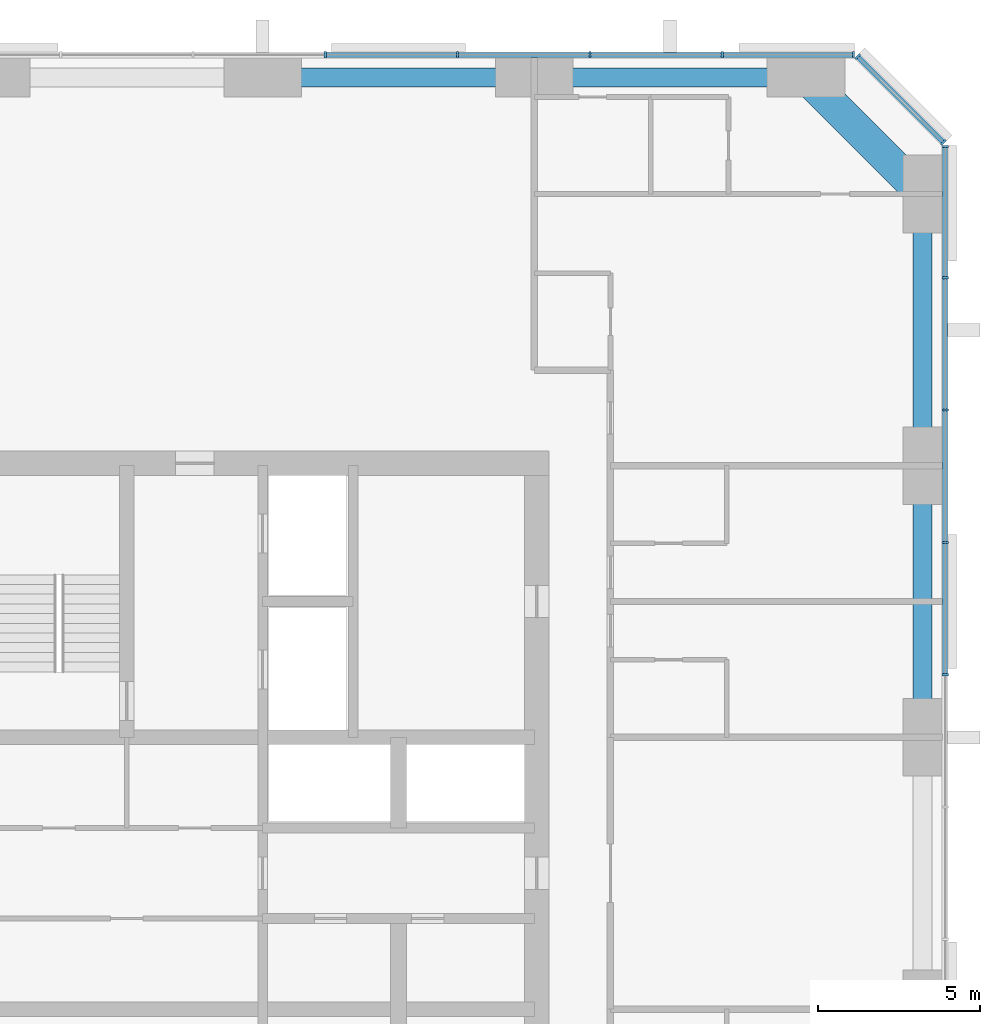
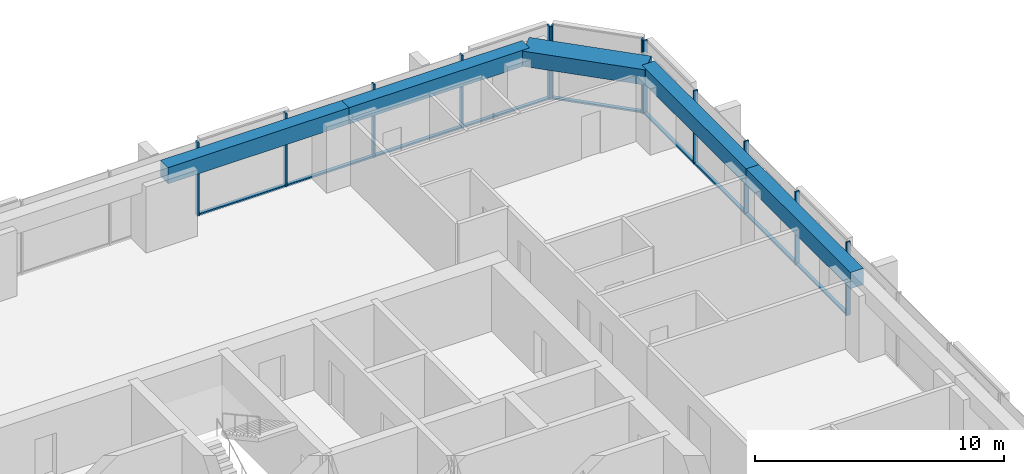
# One storey, part 6 of 13: 21 members, 5 beams, 3 elements without a shape of their own.
"""IFC4 building model written with IfcOpenShell, lengths in metres."""

import ifcopenshell
import ifcopenshell.guid

model = None  # the IFC model being written
_history = None  # IfcOwnerHistory: only IFC2X3 demands one
_inside = {}  # id of a spatial element -> (the spatial element, [elements in it])
_under = {}  # id of a project, library or spatial element -> (it, [spatial elements below it])
_declared = {}  # id of a project -> (the project, [libraries it declares])
_typed = {}  # id of a type object -> (the type object, [elements of that type])
_made_of = {}  # id of a material, layer set ... -> (it, [elements and type objects made of it])


def new_model(schema):
    """Start an empty IFC model of exactly this schema.

    Asked for "IFC4X3", IfcOpenShell would pick the latest addendum, in which some entities
    have other attributes; the version numbers below select the first issue.
    IFC2X3 requires an IfcOwnerHistory on every rooted entity: one is made here for all.
    """
    global model, _history
    if schema == "IFC4X3":
        model = ifcopenshell.file(schema_version=(4, 3, 0, 0))
    else:
        model = ifcopenshell.file(schema=schema)
    _inside.clear()
    _under.clear()
    _declared.clear()
    _typed.clear()
    _made_of.clear()
    _history = None
    if model.schema == "IFC2X3":
        org = make("IfcOrganization", Name="unknown")
        user = make(
            "IfcPersonAndOrganization",
            ThePerson=make("IfcPerson", FamilyName="unknown"),
            TheOrganization=org,
        )
        app = make(
            "IfcApplication",
            ApplicationDeveloper=org,
            Version="unknown",
            ApplicationFullName="unknown",
            ApplicationIdentifier="unknown",
        )
        _history = make(
            "IfcOwnerHistory",
            OwningUser=user,
            OwningApplication=app,
            ChangeAction="ADDED",
            CreationDate=0,
        )
    return model


def make(cls, **values):
    """One entity of the class cls with the attributes given. An attribute that is None is left unset."""
    return model.create_entity(
        cls, **{name: value for name, value in values.items() if value is not None}
    )


def rooted(cls, **values):
    """An entity with a GlobalId (a new one), such as an element, a storey or a relation."""
    return make(cls, GlobalId=ifcopenshell.guid.new(), OwnerHistory=_history, **values)


def si_unit(unit_type, name, prefix=None):
    """IfcSIUnit, for example si_unit("LENGTHUNIT", "METRE", prefix="MILLI")."""
    return make("IfcSIUnit", UnitType=unit_type, Prefix=prefix, Name=name)


def assignment(units):
    """IfcUnitAssignment: the units of a project."""
    return None if units is None else make("IfcUnitAssignment", Units=units)


def point(xyz):
    """IfcCartesianPoint."""
    return None if xyz is None else make("IfcCartesianPoint", Coordinates=xyz)


def direction(xyz):
    """IfcDirection."""
    return None if xyz is None else make("IfcDirection", DirectionRatios=xyz)


def frame(location, z_axis=None, x_axis=None):
    """IfcAxis2Placement3D, a coordinate frame: its origin and axes. An axis left out is left unset."""
    return make(
        "IfcAxis2Placement3D",
        Location=point(location),
        Axis=direction(z_axis),
        RefDirection=direction(x_axis),
    )


def frame_2d(location, x_axis=None):
    """IfcAxis2Placement2D, a coordinate frame in the plane: its origin and x axis."""
    return make(
        "IfcAxis2Placement2D", Location=point(location), RefDirection=direction(x_axis)
    )


def origin():
    """The frame at (0, 0, 0) with its axes left unset."""
    return frame((0.0, 0.0, 0.0))


def origin_2d():
    """The frame at (0, 0) in the plane with its x axis left unset."""
    return frame_2d((0.0, 0.0))


def place(relative_to, where):
    """IfcLocalPlacement: puts the frame where relative to a parent placement (None: the world)."""
    return make(
        "IfcLocalPlacement", PlacementRelTo=relative_to, RelativePlacement=where
    )


def context(
    kind, dimensions, precision=None, world=None, true_north=None, identifier=None
):
    """IfcGeometricRepresentationContext, for example the 3D "Model" context."""
    return make(
        "IfcGeometricRepresentationContext",
        ContextIdentifier=identifier,
        ContextType=kind,
        CoordinateSpaceDimension=dimensions,
        Precision=precision,
        WorldCoordinateSystem=world,
        TrueNorth=true_north,
    )


def subcontext(parent, identifier, kind, view, scale=None):
    """IfcGeometricRepresentationSubContext, for example "Body" below "Model"."""
    return make(
        "IfcGeometricRepresentationSubContext",
        ContextIdentifier=identifier,
        ContextType=kind,
        ParentContext=parent,
        TargetScale=scale,
        TargetView=view,
    )


def project(units=None, contexts=None):
    """IfcProject with its units and contexts."""
    return rooted(
        "IfcProject",
        Name="project",
        RepresentationContexts=contexts,
        UnitsInContext=assignment(units),
    )


def spatial(cls, under=None, at=None, **own):
    """A site, building, storey or space (cls), placed at a placement, below another one or the project."""
    s = rooted(cls, ObjectPlacement=at, **own)
    if under is not None:
        _under.setdefault(under.id(), (under, []))[1].append(s)
    return s


def profile(cls, at=None, kind="AREA", **sizes):
    """A parametric profile (cls). Its sizes go by their IFC names, for example OverallWidth=200.0."""
    return make(cls, ProfileType=kind, Position=at, **sizes)


def rectangle(**sizes):
    """IfcRectangleProfileDef."""
    return profile("IfcRectangleProfileDef", **sizes)


def extrude(swept, where, along, depth):
    """IfcExtrudedAreaSolid: the profile swept, set in the frame where, extruded along a direction by depth."""
    return make(
        "IfcExtrudedAreaSolid",
        SweptArea=swept,
        Position=where,
        ExtrudedDirection=direction(along),
        Depth=depth,
    )


def shape(context_of_items, identifier, shape_type, items):
    """IfcShapeRepresentation: the items that make up one representation, for example the "Body"."""
    return make(
        "IfcShapeRepresentation",
        ContextOfItems=context_of_items,
        RepresentationIdentifier=identifier,
        RepresentationType=shape_type,
        Items=items,
    )


def material(Name=None, Category=None):
    """IfcMaterial."""
    return make("IfcMaterial", Name=Name, Category=Category)


def material_profile(
    of_material, cross_section, Name=None, Category=None, Priority=None
):
    """IfcMaterialProfile: a cross section and its material."""
    return make(
        "IfcMaterialProfile",
        Name=Name,
        Material=of_material,
        Profile=cross_section,
        Priority=Priority,
        Category=Category,
    )


def profile_set(profiles, Name=None, composite=None):
    """IfcMaterialProfileSet."""
    return make(
        "IfcMaterialProfileSet",
        Name=Name,
        MaterialProfiles=profiles,
        CompositeProfile=composite,
    )


def made_of(thing, what):
    """Note that an element or type object is made of a material, layer set ...; save() writes the relation."""
    if what is not None:
        _made_of.setdefault(what.id(), (what, []))[1].append(thing)
    return thing


def type_object(cls, material=None, **own):
    """A type object (cls), such as IfcWallType, which elements share."""
    return made_of(rooted(cls, **own), material)


def element(
    cls,
    number,
    at=None,
    inside=None,
    cuts=None,
    type_object=None,
    material=None,
    context=None,
    identifier="Body",
    shape_type=None,
    held_by="IfcProductDefinitionShape",
    body=None,
    shapes=None,
    **own,
):
    """One element of the class cls, such as IfcWall. Its Tag is "e" and its number.

    at: its placement. inside: the storey or other place that contains it. cuts: it is an
    opening in that element (IfcRelVoidsElement). A single representation is given by context,
    identifier, shape_type and body (its items); several are given by shapes. held_by: the class
    of the entity that holds the representations. save() writes the other relations.
    """
    e = rooted(cls, Tag="e%d" % number, ObjectPlacement=at, **own)
    if body is not None:
        shapes = [shape(context, identifier, shape_type, body)]
    if shapes is not None:
        e.Representation = make(held_by, Representations=shapes)
    if inside is not None:
        _inside.setdefault(inside.id(), (inside, []))[1].append(e)
    if cuts is not None:
        rooted(
            "IfcRelVoidsElement", RelatingBuildingElement=cuts, RelatedOpeningElement=e
        )
    if type_object is not None:
        _typed.setdefault(type_object.id(), (type_object, []))[1].append(e)
    return made_of(e, material)


def aggregate(whole, parts):
    """IfcRelAggregates: a whole, such as a stair, and the parts it consists of."""
    return rooted("IfcRelAggregates", RelatingObject=whole, RelatedObjects=parts)


def save(model, path):
    """Write the relations noted so far, then the file.

    IfcRelAggregates (storeys below a building ...), IfcRelContainedInSpatialStructure (elements
    in a storey), IfcRelDefinesByType, IfcRelAssociatesMaterial and IfcRelDeclares: one each for
    every whole, place, type object, material and project.
    """
    for whole, parts in _under.values():
        aggregate(whole, parts)
    for where, things in _inside.values():
        rooted(
            "IfcRelContainedInSpatialStructure",
            RelatedElements=things,
            RelatingStructure=where,
        )
    for kind, things in _typed.values():
        rooted("IfcRelDefinesByType", RelatedObjects=things, RelatingType=kind)
    for what, things in _made_of.values():
        rooted("IfcRelAssociatesMaterial", RelatedObjects=things, RelatingMaterial=what)
    for by, libraries in _declared.values():
        rooted("IfcRelDeclares", RelatingContext=by, RelatedDefinitions=libraries)
    model.write(path)


model = new_model("IFC4")

# Units and contexts
model_context = context("Model", 3, precision=1e-05, world=origin(), true_north=direction((0.0, 1.0)))
body_context = subcontext(model_context, "Body", "Model", "MODEL_VIEW")
ifc_project = project(units=[si_unit("LENGTHUNIT", "METRE"), si_unit("AREAUNIT", "SQUARE_METRE"), si_unit("VOLUMEUNIT", "CUBIC_METRE"), si_unit("PLANEANGLEUNIT", "RADIAN"), si_unit("MASSUNIT", "GRAM", prefix="KILO")], contexts=[model_context])

# Site, building, storey
site_placement = place(None, origin())
site = spatial("IfcSite", under=ifc_project, at=site_placement, CompositionType="ELEMENT")
building_placement = place(site_placement, origin())
building = spatial("IfcBuilding", under=site, at=building_placement, Name="Dunama Terrace Hotel", CompositionType="ELEMENT")
storey_placement = place(building_placement, frame((0.0, 0.0, 173.39990234375)))
storey = spatial("IfcBuildingStorey", under=building, at=storey_placement, Name="L44", CompositionType="ELEMENT", Elevation=173.39990234375)

# Curtain wall, members
ifc_material_1 = material(Name="Aluminium curtain wall system", Category="aluminium")
curtain_wall_type = type_object("IfcCurtainWallType", Name="Unitised fritted glass wall CW-C", PredefinedType="NOTDEFINED", material=ifc_material_1)
curtain_wall_1_placement = place(storey_placement, origin())
curtain_wall_1 = element("IfcCurtainWall", 1, at=curtain_wall_1_placement, inside=storey, type_object=curtain_wall_type, Name="Unitised fritted glass wall CW-C L44", PredefinedType="NOTDEFINED")
ifc_material_2 = material(Name="Aluminium mullion", Category="aluminium")
ifc_material_profile_1 = material_profile(ifc_material_2, rectangle(XDim=0.070068359375, YDim=0.199951171875, at=origin_2d()), Name="CWC MULLION 70X200")
ifc_profile_set_1 = profile_set([ifc_material_profile_1], Name="Aluminium mullion")
member_type_1 = type_object("IfcMemberType", Name="CWC mullion 70x200", PredefinedType="MULLION", material=ifc_profile_set_1)
member_1_placement = place(storey_placement, frame((54.699951171875, 35.535888671875, 0.0), z_axis=(0.0, 0.0, 1.0), x_axis=(0.0, 1.0, 0.0)))
member_1 = element("IfcMember", 2, at=member_1_placement, type_object=member_type_1, Name="CWC mullion", PredefinedType="MULLION", context=body_context, shape_type="SweptSolid", body=[
    extrude(rectangle(XDim=0.070068359375, YDim=0.199951171875, at=origin_2d()), origin(), (0.0, 0.0, 1.0), 3.60009765625),
])
member_2_placement = place(storey_placement, frame((54.699951171875, 39.626953125, 0.0), z_axis=(0.0, 0.0, 1.0), x_axis=(0.0, 1.0, 0.0)))
member_2 = element("IfcMember", 3, at=member_2_placement, type_object=member_type_1, Name="CWC mullion", PredefinedType="MULLION", context=body_context, shape_type="SweptSolid", body=[
    extrude(rectangle(XDim=0.070068359375, YDim=0.199951171875, at=origin_2d()), origin(), (0.0, 0.0, 1.0), 3.60009765625),
])
member_3_placement = place(storey_placement, frame((54.699951171875, 43.718017578125, 0.0), z_axis=(0.0, 0.0, 1.0), x_axis=(0.0, 1.0, 0.0)))
member_3 = element("IfcMember", 4, at=member_3_placement, type_object=member_type_1, Name="CWC mullion", PredefinedType="MULLION", context=body_context, shape_type="SweptSolid", body=[
    extrude(rectangle(XDim=0.070068359375, YDim=0.199951171875, at=origin_2d()), origin(), (0.0, 0.0, 1.0), 3.60009765625),
])
member_4_placement = place(storey_placement, frame((54.699951171875, 47.80908203125, 0.0), z_axis=(0.0, 0.0, 1.0), x_axis=(0.0, 1.0, 0.0)))
member_4 = element("IfcMember", 5, at=member_4_placement, type_object=member_type_1, Name="CWC mullion", PredefinedType="MULLION", context=body_context, shape_type="SweptSolid", body=[
    extrude(rectangle(XDim=0.070068359375, YDim=0.199951171875, at=origin_2d()), origin(), (0.0, 0.0, 1.0), 3.60009765625),
])
member_5_placement = place(storey_placement, frame((54.699951171875, 51.864990234375, 0.0), z_axis=(0.0, 0.0, 1.0), x_axis=(0.0, 1.0, 0.0)))
member_5 = element("IfcMember", 6, at=member_5_placement, type_object=member_type_1, Name="CWC mullion", PredefinedType="MULLION", context=body_context, shape_type="SweptSolid", body=[
    extrude(rectangle(XDim=0.070068359375, YDim=0.199951171875, at=origin_2d()), origin(), (0.0, 0.0, 1.0), 3.60009765625),
])

curtain_wall_2_placement = place(storey_placement, origin())
curtain_wall_2 = element("IfcCurtainWall", 7, at=curtain_wall_2_placement, inside=storey, type_object=curtain_wall_type, Name="Unitised fritted glass wall CW-C L44", PredefinedType="NOTDEFINED")
member_6_placement = place(storey_placement, frame((54.64599609375, 51.9951171875, 0.0), z_axis=(0.0, 0.0, 1.0), x_axis=(-0.707106781187, 0.707106781187, 0.0)))
member_6 = element("IfcMember", 8, at=member_6_placement, type_object=member_type_1, Name="CWC mullion", PredefinedType="MULLION", context=body_context, shape_type="SweptSolid", body=[
    extrude(rectangle(XDim=0.070068359375, YDim=0.199951171875, at=origin_2d()), origin(), (0.0, 0.0, 1.0), 3.60009765625),
])
member_7_placement = place(storey_placement, frame((51.9951171875, 54.64599609375, 0.0), z_axis=(0.0, 0.0, 1.0), x_axis=(-0.707106781187, 0.707106781187, 0.0)))
member_7 = element("IfcMember", 9, at=member_7_placement, type_object=member_type_1, Name="CWC mullion", PredefinedType="MULLION", context=body_context, shape_type="SweptSolid", body=[
    extrude(rectangle(XDim=0.070068359375, YDim=0.199951171875, at=origin_2d()), origin(), (0.0, 0.0, 1.0), 3.60009765625),
])

curtain_wall_3_placement = place(storey_placement, origin())
curtain_wall_3 = element("IfcCurtainWall", 10, at=curtain_wall_3_placement, inside=storey, type_object=curtain_wall_type, Name="Unitised fritted glass wall CW-C L44", PredefinedType="NOTDEFINED")
member_8_placement = place(storey_placement, frame((51.864990234375, 54.699951171875, 0.0), z_axis=(0.0, 0.0, 1.0), x_axis=(-1.0, 0.0, 0.0)))
member_8 = element("IfcMember", 11, at=member_8_placement, type_object=member_type_1, Name="CWC mullion", PredefinedType="MULLION", context=body_context, shape_type="SweptSolid", body=[
    extrude(rectangle(XDim=0.070068359375, YDim=0.199951171875, at=origin_2d()), origin(), (0.0, 0.0, 1.0), 3.60009765625),
])
member_9_placement = place(storey_placement, frame((47.80908203125, 54.699951171875, 0.0), z_axis=(0.0, 0.0, 1.0), x_axis=(-1.0, 0.0, 0.0)))
member_9 = element("IfcMember", 12, at=member_9_placement, type_object=member_type_1, Name="CWC mullion", PredefinedType="MULLION", context=body_context, shape_type="SweptSolid", body=[
    extrude(rectangle(XDim=0.070068359375, YDim=0.199951171875, at=origin_2d()), origin(), (0.0, 0.0, 1.0), 3.60009765625),
])
member_10_placement = place(storey_placement, frame((43.718017578125, 54.699951171875, 0.0), z_axis=(0.0, 0.0, 1.0), x_axis=(-1.0, 0.0, 0.0)))
member_10 = element("IfcMember", 13, at=member_10_placement, type_object=member_type_1, Name="CWC mullion", PredefinedType="MULLION", context=body_context, shape_type="SweptSolid", body=[
    extrude(rectangle(XDim=0.070068359375, YDim=0.199951171875, at=origin_2d()), origin(), (0.0, 0.0, 1.0), 3.60009765625),
])
member_11_placement = place(storey_placement, frame((39.626953125, 54.699951171875, 0.0), z_axis=(0.0, 0.0, 1.0), x_axis=(-1.0, 0.0, 0.0)))
member_11 = element("IfcMember", 14, at=member_11_placement, type_object=member_type_1, Name="CWC mullion", PredefinedType="MULLION", context=body_context, shape_type="SweptSolid", body=[
    extrude(rectangle(XDim=0.070068359375, YDim=0.199951171875, at=origin_2d()), origin(), (0.0, 0.0, 1.0), 3.60009765625),
])
member_12_placement = place(storey_placement, frame((35.535888671875, 54.699951171875, 0.0), z_axis=(0.0, 0.0, 1.0), x_axis=(-1.0, 0.0, 0.0)))
member_12 = element("IfcMember", 15, at=member_12_placement, type_object=member_type_1, Name="CWC mullion", PredefinedType="MULLION", context=body_context, shape_type="SweptSolid", body=[
    extrude(rectangle(XDim=0.070068359375, YDim=0.199951171875, at=origin_2d()), origin(), (0.0, 0.0, 1.0), 3.60009765625),
])

# Member
ifc_material_3 = material(Name="Aluminium transom", Category="aluminium")
ifc_material_profile_2 = material_profile(ifc_material_3, rectangle(XDim=0.159912109375, YDim=0.080078125, at=origin_2d()), Name="CWC TRANSOM 160X80")
ifc_profile_set_2 = profile_set([ifc_material_profile_2], Name="Aluminium transom")
member_type_2 = type_object("IfcMemberType", Name="CWC transom 160x80", PredefinedType="USERDEFINED", material=ifc_profile_set_2)
member_13_placement = place(storey_placement, frame((54.699951171875, 35.571044921875, 0.0400390625), z_axis=(0.0, 1.0, 0.0), x_axis=(-1.0, 0.0, 0.0)))
member_13 = element("IfcMember", 16, at=member_13_placement, type_object=member_type_2, Name="CWC transom", ObjectType="TRANSOM", PredefinedType="USERDEFINED", context=body_context, shape_type="SweptSolid", body=[
    extrude(rectangle(XDim=0.159912109375, YDim=0.080078125, at=origin_2d()), origin(), (0.0, 0.0, 1.0), 4.02099609375),
])

member_14_placement = place(storey_placement, frame((54.699951171875, 39.662109375, 0.0400390625), z_axis=(0.0, 1.0, 0.0), x_axis=(-1.0, 0.0, 0.0)))
member_14 = element("IfcMember", 17, at=member_14_placement, type_object=member_type_2, Name="CWC transom", ObjectType="TRANSOM", PredefinedType="USERDEFINED", context=body_context, shape_type="SweptSolid", body=[
    extrude(rectangle(XDim=0.159912109375, YDim=0.080078125, at=origin_2d()), origin(), (0.0, 0.0, 1.0), 4.02099609375),
])

member_15_placement = place(storey_placement, frame((54.699951171875, 43.7529296875, 0.0400390625), z_axis=(0.0, 1.0, 0.0), x_axis=(-1.0, 0.0, 0.0)))
member_15 = element("IfcMember", 18, at=member_15_placement, type_object=member_type_2, Name="CWC transom", ObjectType="TRANSOM", PredefinedType="USERDEFINED", context=body_context, shape_type="SweptSolid", body=[
    extrude(rectangle(XDim=0.159912109375, YDim=0.080078125, at=origin_2d()), origin(), (0.0, 0.0, 1.0), 4.02099609375),
])

member_16_placement = place(storey_placement, frame((54.699951171875, 47.843994140625, 0.0400390625), z_axis=(0.0, 1.0, 0.0), x_axis=(-1.0, 0.0, 0.0)))
member_16 = element("IfcMember", 19, at=member_16_placement, type_object=member_type_2, Name="CWC transom", ObjectType="TRANSOM", PredefinedType="USERDEFINED", context=body_context, shape_type="SweptSolid", body=[
    extrude(rectangle(XDim=0.159912109375, YDim=0.080078125, at=origin_2d()), origin(), (0.0, 0.0, 1.0), 3.986083984375),
])

aggregate(curtain_wall_1, [member_1, member_2, member_3, member_4, member_5, member_13, member_14, member_15, member_16])

member_17_placement = place(storey_placement, frame((54.62109375, 52.02001953125, 0.0400390625), z_axis=(-0.707106781187, 0.707106781187, 0.0), x_axis=(-0.707106781187, -0.707106781187, 0.0)))
member_17 = element("IfcMember", 20, at=member_17_placement, type_object=member_type_2, Name="CWC transom", ObjectType="TRANSOM", PredefinedType="USERDEFINED", context=body_context, shape_type="SweptSolid", body=[
    extrude(rectangle(XDim=0.159912109375, YDim=0.080078125, at=origin_2d()), origin(), (0.0, 0.0, 1.0), 3.678466796875),
])

aggregate(curtain_wall_2, [member_6, member_7, member_17])

member_18_placement = place(storey_placement, frame((51.830078125, 54.699951171875, 0.0400390625), z_axis=(-1.0, 0.0, 0.0), x_axis=(0.0, -1.0, 0.0)))
member_18 = element("IfcMember", 21, at=member_18_placement, type_object=member_type_2, Name="CWC transom", ObjectType="TRANSOM", PredefinedType="USERDEFINED", context=body_context, shape_type="SweptSolid", body=[
    extrude(rectangle(XDim=0.159912109375, YDim=0.080078125, at=origin_2d()), origin(), (0.0, 0.0, 1.0), 3.986083984375),
])

member_19_placement = place(storey_placement, frame((47.77392578125, 54.699951171875, 0.0400390625), z_axis=(-1.0, 0.0, 0.0), x_axis=(0.0, -1.0, 0.0)))
member_19 = element("IfcMember", 22, at=member_19_placement, type_object=member_type_2, Name="CWC transom", ObjectType="TRANSOM", PredefinedType="USERDEFINED", context=body_context, shape_type="SweptSolid", body=[
    extrude(rectangle(XDim=0.159912109375, YDim=0.080078125, at=origin_2d()), origin(), (0.0, 0.0, 1.0), 4.02099609375),
])

member_20_placement = place(storey_placement, frame((43.68310546875, 54.699951171875, 0.0400390625), z_axis=(-1.0, 0.0, 0.0), x_axis=(0.0, -1.0, 0.0)))
member_20 = element("IfcMember", 23, at=member_20_placement, type_object=member_type_2, Name="CWC transom", ObjectType="TRANSOM", PredefinedType="USERDEFINED", context=body_context, shape_type="SweptSolid", body=[
    extrude(rectangle(XDim=0.159912109375, YDim=0.080078125, at=origin_2d()), origin(), (0.0, 0.0, 1.0), 4.02099609375),
])

member_21_placement = place(storey_placement, frame((39.592041015625, 54.699951171875, 0.0400390625), z_axis=(-1.0, 0.0, 0.0), x_axis=(0.0, -1.0, 0.0)))
member_21 = element("IfcMember", 24, at=member_21_placement, type_object=member_type_2, Name="CWC transom", ObjectType="TRANSOM", PredefinedType="USERDEFINED", context=body_context, shape_type="SweptSolid", body=[
    extrude(rectangle(XDim=0.159912109375, YDim=0.080078125, at=origin_2d()), origin(), (0.0, 0.0, 1.0), 4.02099609375),
])

aggregate(curtain_wall_3, [member_8, member_9, member_10, member_11, member_12, member_18, member_19, member_20, member_21])

# Beams
ifc_material_4 = material(Name="Concrete C50/60", Category="concrete")
ifc_material_profile_3 = material_profile(ifc_material_4, rectangle(XDim=1.0, YDim=0.75, at=origin_2d()), Name="RC 1000x750")
ifc_profile_set_3 = profile_set([ifc_material_profile_3], Name="Concrete C50/60")
beam_type_1 = type_object("IfcBeamType", Name="Edge beam RC 1000x750", PredefinedType="SPANDREL", material=ifc_profile_set_3)
beam_placement = place(storey_placement, frame((50.39990234375, 54.0, 3.22509765625), z_axis=(0.707106781187, -0.707106781187, 0.0), x_axis=(0.707106781187, 0.707106781187, 0.0)))
element("IfcBeam", 25, at=beam_placement, inside=storey, type_object=beam_type_1, Name="Corner edge beam under L45", PredefinedType="SPANDREL", context=body_context, shape_type="SweptSolid", body=[
    extrude(rectangle(XDim=1.0, YDim=0.75, at=origin_2d()), origin(), (0.0, 0.0, 1.0), 5.09130859375),
])
ifc_material_5 = material(Name="Concrete C40/50", Category="concrete")
ifc_material_profile_4 = material_profile(ifc_material_5, rectangle(XDim=0.60009765625, YDim=0.800048828125, at=origin_2d()), Name="RC 600x800")
ifc_profile_set_4 = profile_set([ifc_material_profile_4], Name="Concrete C40/50")
beam_type_2 = type_object("IfcBeamType", Name="Edge beam RC 600x800", PredefinedType="SPANDREL", material=ifc_profile_set_4)
for number, where, z_axis, x_axis, name in (
    (26, (54.0, 33.60009765625, 3.2001953125), (0.0, 1.0, 0.0), (-1.0, 0.0, 0.0), "Edge beam under L45"),
    (27, (54.0, 42.0, 3.2001953125), (0.0, 1.0, 0.0), (-1.0, 0.0, 0.0), "Edge beam under L45"),
    (28, (33.60009765625, 54.0, 3.2001953125), (1.0, 0.0, 0.0), (0.0, 1.0, 0.0), "Edge beam under L45"),
    (29, (42.0, 54.0, 3.2001953125), (1.0, 0.0, 0.0), (0.0, 1.0, 0.0), "Edge beam under L45"),
):
    element("IfcBeam", number, at=place(storey_placement, frame(where, z_axis=z_axis, x_axis=x_axis)), inside=storey, type_object=beam_type_2, Name=name, PredefinedType="SPANDREL", context=body_context, shape_type="SweptSolid", body=[
        extrude(rectangle(XDim=0.60009765625, YDim=0.800048828125, at=origin_2d()), origin(), (0.0, 0.0, 1.0), 8.39990234375),
    ])

save(model, "model.ifc")
